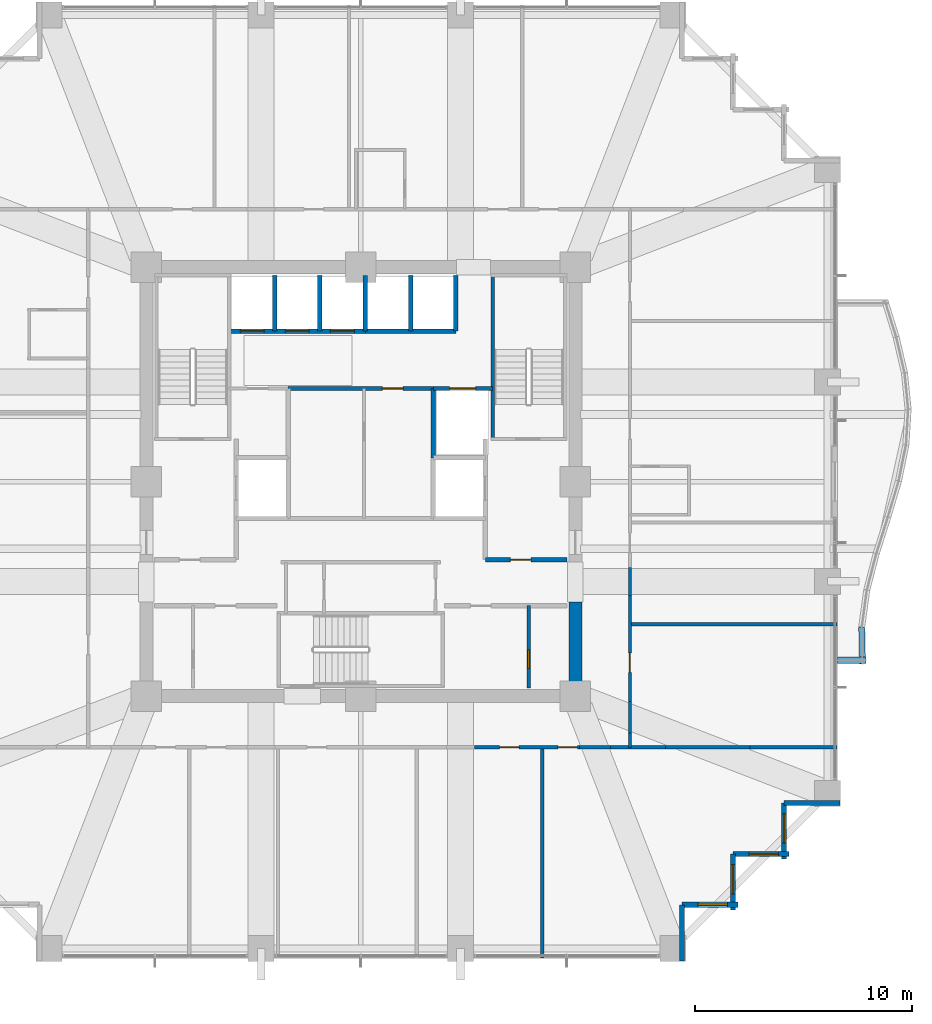
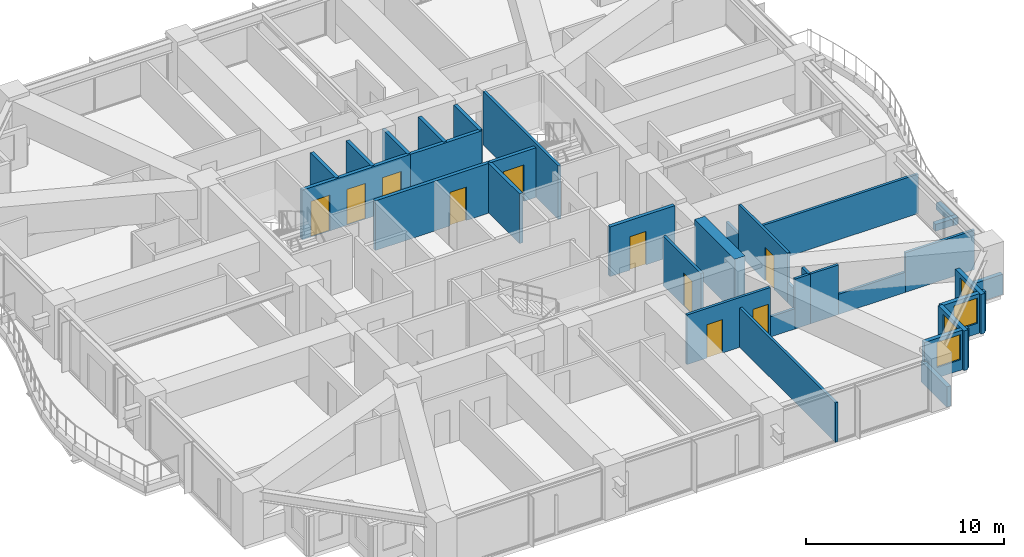
# One storey, part 35 of 39: 34 walls, 10 doors, 4 windows, 14 openings.
"""IFC4 building model written with IfcOpenShell, lengths in metres."""

from ifc_helpers import new_model, si_unit, direction, frame, frame_2d, origin, place, context, subcontext, project, spatial, rectangle, extrude, material, layer, layer_set, type_object, element, fill, save


model = new_model("IFC4")

# Units and contexts
model_context = context("Model", 3, precision=1e-05, world=origin(), true_north=direction((0.0, 1.0)))
body_context = subcontext(model_context, "Body", "Model", "MODEL_VIEW")
ifc_project = project(units=[si_unit("LENGTHUNIT", "METRE"), si_unit("AREAUNIT", "SQUARE_METRE"), si_unit("VOLUMEUNIT", "CUBIC_METRE"), si_unit("PLANEANGLEUNIT", "RADIAN"), si_unit("MASSUNIT", "GRAM", prefix="KILO")], contexts=[model_context])

# Site, building, storey
site_placement = place(None, origin())
site = spatial("IfcSite", under=ifc_project, at=site_placement, CompositionType="ELEMENT")
building_placement = place(site_placement, origin())
building = spatial("IfcBuilding", under=site, at=building_placement, Name="Kolvaren Belvedere", CompositionType="ELEMENT")
storey_placement = place(building_placement, frame((0.0, 0.0, 40.300048828125)))
storey = spatial("IfcBuildingStorey", under=building, at=storey_placement, Name="L11", CompositionType="ELEMENT", Elevation=40.300048828125)

# Walls
ifc_material_1 = material(Name="Concrete C60/75", Category="concrete")
ifc_layer_1 = layer(ifc_material_1, 0.60009765625)
ifc_layer_set_1 = layer_set([ifc_layer_1], Name="Concrete C60/75")
wall_type_1 = type_object("IfcWallType", Name="CW-CORE-600", PredefinedType="SHEAR", material=ifc_layer_set_1)
wall_1_placement = place(storey_placement, frame((9.89990234375, -9.60009765625, 0.0), z_axis=(0.0, 0.0, 1.0), x_axis=(0.0, 1.0, 0.0)))
element("IfcWall", 1, at=wall_1_placement, inside=storey, type_object=wall_type_1, Name="L11 East Core Shear Wall 1", PredefinedType="SHEAR", context=body_context, shape_type="SweptSolid", body=[
    extrude(rectangle(XDim=4.050048828125, YDim=0.60009765625, at=frame_2d((2.02490234375, 0.0))), origin(), (0.0, 0.0, 1.0), 3.300048828125),
])
ifc_material_2 = material(Name="Concrete C50/60", Category="concrete")
ifc_layer_2 = layer(ifc_material_2, 0.159912109375)
ifc_layer_set_2 = layer_set([ifc_layer_2], Name="Concrete C50/60")
wall_type_2 = type_object("IfcWallType", Name="CW-STAIR-160", PredefinedType="SHEAR", material=ifc_layer_set_2)
wall_2_placement = place(storey_placement, frame((6.080078125, 1.969970703125, 0.0), z_axis=(0.0, 0.0, 1.0), x_axis=(0.0, 1.0, 0.0)))
element("IfcWall", 2, at=wall_2_placement, inside=storey, type_object=wall_type_2, Name="L11 Stair ST-2 West Shear Wall", PredefinedType="SHEAR", context=body_context, shape_type="SweptSolid", body=[
    extrude(rectangle(XDim=7.56005859375, YDim=0.159912109375, at=frame_2d((3.780029296875, 0.0))), origin(), (0.0, 0.0, 1.0), 3.300048828125),
])

# Wall, openings, doors
ifc_material_3 = material(Name="Gypsum fire-rated partition assembly", Category="gypsum")
ifc_layer_3 = layer(ifc_material_3, 0.14990234375)
ifc_layer_set_3 = layer_set([ifc_layer_3], Name="Gypsum fire-rated partition assembly")
wall_type_3 = type_object("IfcWallType", Name="WL-CORR-150", PredefinedType="PARTITIONING", material=ifc_layer_set_3)
wall_3_placement = place(storey_placement, frame((5.241943359375, -12.260009765625, 0.0), z_axis=(0.0, 0.0, 1.0), x_axis=(1.0, 0.0, 0.0)))
wall_3 = element("IfcWall", 3, at=wall_3_placement, inside=storey, type_object=wall_type_3, Name="L11 South Corridor Wall", PredefinedType="PARTITIONING", context=body_context, shape_type="SweptSolid", body=[
    extrude(rectangle(XDim=4.849853515625, YDim=0.14990234375, at=frame_2d((2.4248046875, 0.0))), origin(), (0.0, 0.0, 1.0), 3.06005859375),
])
opening_1_placement = place(wall_3_placement, frame((1.164794921875, 0.0, 0.0)))
opening_1 = element("IfcOpeningElement", 4, at=opening_1_placement, cuts=wall_3, Name="Opening D-INT90", PredefinedType="OPENING", context=body_context, shape_type="SweptSolid", body=[
    extrude(rectangle(XDim=0.89990234375, YDim=2.06005859375, at=frame_2d((0.449951171875, 1.030029296875))), frame((0.0, 0.0849609375, 0.0), z_axis=(0.0, -1.0, 0.0), x_axis=(1.0, 0.0, 0.0)), (0.0, 0.0, 1.0), 0.169921875),
])
opening_2_placement = place(wall_3_placement, frame((3.849853515625, 0.0, 0.0)))
opening_2 = element("IfcOpeningElement", 5, at=opening_2_placement, cuts=wall_3, Name="Opening D-INT90", PredefinedType="OPENING", context=body_context, shape_type="SweptSolid", body=[
    extrude(rectangle(XDim=0.89990234375, YDim=2.06005859375, at=frame_2d((0.449951171875, 1.030029296875))), frame((0.0, 0.0849609375, 0.0), z_axis=(0.0, -1.0, 0.0), x_axis=(1.0, 0.0, 0.0)), (0.0, 0.0, 1.0), 0.169921875),
])
ifc_material_4 = material(Name="Stained Pacific white oak", Category="timber")
door_type_1 = type_object("IfcDoorType", Name="DR-INT-900", OperationType="NOTDEFINED", PredefinedType="DOOR", material=ifc_material_4)
door_1_placement = place(opening_1_placement, origin())
door_1 = element("IfcDoor", 6, at=door_1_placement, inside=storey, type_object=door_type_1, Name="L11 Private Hospitality Meeting Room 1104 Door", OperationType="SINGLE_SWING_RIGHT", OverallHeight=2.06005859375, OverallWidth=0.89990234375, PredefinedType="DOOR", context=body_context, shape_type="SweptSolid", body=[
    extrude(rectangle(XDim=0.89990234375, YDim=2.06005859375, at=frame_2d((0.449951171875, 1.030029296875))), frame((0.0, 0.02490234375, 0.0), z_axis=(0.0, -1.0, 0.0), x_axis=(1.0, 0.0, 0.0)), (0.0, 0.0, 1.0), 0.050048828125),
])
fill(opening_1, door_1)
door_2_placement = place(opening_2_placement, origin())
door_2 = element("IfcDoor", 7, at=door_2_placement, inside=storey, type_object=door_type_1, Name="L11 Lounge 1105 Door", OperationType="SINGLE_SWING_LEFT", OverallHeight=2.06005859375, OverallWidth=0.89990234375, PredefinedType="DOOR", context=body_context, shape_type="SweptSolid", body=[
    extrude(rectangle(XDim=0.89990234375, YDim=2.06005859375, at=frame_2d((0.449951171875, 1.030029296875))), frame((0.0, 0.02490234375, 0.0), z_axis=(0.0, -1.0, 0.0), x_axis=(1.0, 0.0, 0.0)), (0.0, 0.0, 1.0), 0.050048828125),
])
fill(opening_2, door_2)

# Walls
wall_4_placement = place(storey_placement, frame((10.091796875, -12.260009765625, 0.0), z_axis=(0.0, 0.0, 1.0), x_axis=(1.0, 0.0, 0.0)))
element("IfcWall", 8, at=wall_4_placement, inside=storey, type_object=wall_type_3, Name="L11 South Corridor Wall", PredefinedType="PARTITIONING", context=body_context, shape_type="SweptSolid", body=[
    extrude(rectangle(XDim=1.439453125, YDim=0.14990234375, at=frame_2d((0.7197265625, 0.0))), origin(), (0.0, 0.0, 1.0), 1.244873046875),
])
wall_5_placement = place(storey_placement, frame((11.53125, -12.260009765625, 0.0), z_axis=(0.0, 0.0, 1.0), x_axis=(1.0, 0.0, 0.0)))
element("IfcWall", 9, at=wall_5_placement, inside=storey, type_object=wall_type_3, Name="L11 South Corridor Wall", PredefinedType="PARTITIONING", context=body_context, shape_type="SweptSolid", body=[
    extrude(rectangle(XDim=0.888671875, YDim=0.14990234375, at=frame_2d((0.4443359375, 0.0))), origin(), (0.0, 0.0, 1.0), 3.06005859375),
])
wall_6_placement = place(storey_placement, frame((12.419921875, -12.260009765625, 0.0), z_axis=(0.0, 0.0, 1.0), x_axis=(0.0, 1.0, 0.0)))
element("IfcWall", 10, at=wall_6_placement, inside=storey, type_object=wall_type_3, Name="L11 East Corridor Wall", PredefinedType="PARTITIONING", context=body_context, shape_type="SweptSolid", body=[
    extrude(rectangle(XDim=0.6669921875, YDim=0.14990234375, at=frame_2d((0.33349609375, 0.0))), origin(), (0.0, 0.0, 1.0), 3.06005859375),
])
wall_7_placement = place(storey_placement, frame((12.419921875, -11.593017578125, 0.0), z_axis=(0.0, 0.0, 1.0), x_axis=(0.0, 1.0, 0.0)))
element("IfcWall", 11, at=wall_7_placement, inside=storey, type_object=wall_type_3, Name="L11 East Corridor Wall", PredefinedType="PARTITIONING", context=body_context, shape_type="SweptSolid", body=[
    extrude(rectangle(XDim=1.439208984375, YDim=0.14990234375, at=frame_2d((0.7197265625, 0.0))), origin(), (0.0, 0.0, 1.0), 1.244873046875),
])

# Wall, opening, door
wall_8_placement = place(storey_placement, frame((12.419921875, -10.15380859375, 0.0), z_axis=(0.0, 0.0, 1.0), x_axis=(0.0, 1.0, 0.0)))
wall_8 = element("IfcWall", 12, at=wall_8_placement, inside=storey, type_object=wall_type_3, Name="L11 East Corridor Wall", PredefinedType="PARTITIONING", context=body_context, shape_type="SweptSolid", body=[
    extrude(rectangle(XDim=4.911865234375, YDim=0.14990234375, at=frame_2d((2.4560546875, 0.0))), origin(), (0.0, 0.0, 1.0), 3.06005859375),
])
opening_3_placement = place(wall_8_placement, frame((1.355712890625, 0.0, 0.0)))
opening_3 = element("IfcOpeningElement", 13, at=opening_3_placement, cuts=wall_8, Name="Opening D-INT90", PredefinedType="OPENING", context=body_context, shape_type="SweptSolid", body=[
    extrude(rectangle(XDim=0.89990234375, YDim=2.06005859375, at=frame_2d((0.449951171875, 1.030029296875))), frame((0.0, 0.0849609375, 0.0), z_axis=(0.0, -1.0, 0.0), x_axis=(1.0, 0.0, 0.0)), (0.0, 0.0, 1.0), 0.169921875),
])
door_3_placement = place(opening_3_placement, origin())
door_3 = element("IfcDoor", 14, at=door_3_placement, inside=storey, type_object=door_type_1, Name="L11 Lounge 1106 Door", OperationType="SINGLE_SWING_RIGHT", OverallHeight=2.06005859375, OverallWidth=0.89990234375, PredefinedType="DOOR", context=body_context, shape_type="SweptSolid", body=[
    extrude(rectangle(XDim=0.89990234375, YDim=2.06005859375, at=frame_2d((0.449951171875, 1.030029296875))), frame((0.0, 0.02490234375, 0.0), z_axis=(0.0, -1.0, 0.0), x_axis=(1.0, 0.0, 0.0)), (0.0, 0.0, 1.0), 0.050048828125),
])
fill(opening_3, door_3)

# Walls
wall_9_placement = place(storey_placement, frame((12.419921875, -5.241943359375, 0.0), z_axis=(0.0, 0.0, 1.0), x_axis=(0.0, 1.0, 0.0)))
element("IfcWall", 15, at=wall_9_placement, inside=storey, type_object=wall_type_3, Name="L11 East Corridor Wall", PredefinedType="PARTITIONING", context=body_context, shape_type="SweptSolid", body=[
    extrude(rectangle(XDim=1.283935546875, YDim=0.14990234375, at=frame_2d((0.64208984375, 0.0))), origin(), (0.0, 0.0, 1.0), 1.244873046875),
])
ifc_material_5 = material(Name="Insulated pale-metal facade wall assembly", Category="aluminium")
ifc_layer_4 = layer(ifc_material_5, 0.239990234375)
ifc_layer_set_4 = layer_set([ifc_layer_4], Name="Insulated pale-metal facade wall assembly")
wall_type_4 = type_object("IfcWallType", Name="WL-EXT-240", PredefinedType="STANDARD", material=ifc_layer_set_4)
wall_10_placement = place(storey_placement, frame((14.830078125, -19.530029296875, 0.0), z_axis=(0.0, 0.0, 1.0), x_axis=(0.0, -1.0, 0.0)))
element("IfcWall", 16, at=wall_10_placement, inside=storey, type_object=wall_type_4, Name="L11 Serrated Corner Facade Wall 2", PredefinedType="STANDARD", context=body_context, shape_type="SweptSolid", body=[
    extrude(rectangle(XDim=2.590087890625, YDim=0.239990234375, at=frame_2d((1.294921875, 0.0))), origin(), (0.0, 0.0, 1.0), 1.2548828125),
])

# Wall, opening, window
wall_11_placement = place(storey_placement, frame((17.419921875, -19.530029296875, 0.0), z_axis=(0.0, 0.0, 1.0), x_axis=(-1.0, 0.0, 0.0)))
wall_11 = element("IfcWall", 17, at=wall_11_placement, inside=storey, type_object=wall_type_4, Name="L11 Serrated Corner Facade Wall 3", PredefinedType="STANDARD", context=body_context, shape_type="SweptSolid", body=[
    extrude(rectangle(XDim=2.58984375, YDim=0.239990234375, at=frame_2d((1.294921875, 0.0))), origin(), (0.0, 0.0, 1.0), 2.43896484375),
])
opening_4_placement = place(wall_11_placement, frame((0.5, 0.0, 0.64990234375)))
opening_4 = element("IfcOpeningElement", 18, at=opening_4_placement, cuts=wall_11, Name="Opening W-1350", PredefinedType="OPENING", context=body_context, shape_type="SweptSolid", body=[
    extrude(rectangle(XDim=1.35009765625, YDim=1.550048828125, at=frame_2d((0.675048828125, 0.77490234375))), frame((0.0, 0.1298828125, 0.0), z_axis=(0.0, -1.0, 0.0), x_axis=(1.0, 0.0, 0.0)), (0.0, 0.0, 1.0), 0.260009765625),
])
ifc_material_6 = material(Name="Low-iron triple insulated glass", Category="glass")
window_type = type_object("IfcWindowType", Name="WN-CORN-1350", PartitioningType="SINGLE_PANEL", PredefinedType="WINDOW", material=ifc_material_6)
window_1_placement = place(opening_4_placement, origin())
window_1 = element("IfcWindow", 19, at=window_1_placement, inside=storey, type_object=window_type, Name="L11 Serrated Corner Vision Window 3", OverallHeight=1.550048828125, OverallWidth=1.35009765625, PartitioningType="SINGLE_PANEL", PredefinedType="WINDOW", context=body_context, shape_type="SweptSolid", body=[
    extrude(rectangle(XDim=1.35009765625, YDim=1.550048828125, at=frame_2d((0.675048828125, 0.77490234375))), frame((0.0, 0.030029296875, 0.0), z_axis=(0.0, -1.0, 0.0), x_axis=(1.0, 0.0, 0.0)), (0.0, 0.0, 1.0), 0.06005859375),
])
fill(opening_4, window_1)

wall_12_placement = place(storey_placement, frame((17.179931640625, -17.179931640625, 0.0), z_axis=(0.0, 0.0, 1.0), x_axis=(0.0, -1.0, 0.0)))
wall_12 = element("IfcWall", 20, at=wall_12_placement, inside=storey, type_object=wall_type_4, Name="L11 Serrated Corner Facade Wall 4", PredefinedType="STANDARD", context=body_context, shape_type="SweptSolid", body=[
    extrude(rectangle(XDim=2.590087890625, YDim=0.239990234375, at=frame_2d((1.294921875, 0.0))), origin(), (0.0, 0.0, 1.0), 2.43896484375),
])
opening_5_placement = place(wall_12_placement, frame((0.5, 0.0, 0.64990234375)))
opening_5 = element("IfcOpeningElement", 21, at=opening_5_placement, cuts=wall_12, Name="Opening W-1350", PredefinedType="OPENING", context=body_context, shape_type="SweptSolid", body=[
    extrude(rectangle(XDim=1.35009765625, YDim=1.550048828125, at=frame_2d((0.675048828125, 0.77490234375))), frame((0.0, 0.1298828125, 0.0), z_axis=(0.0, -1.0, 0.0), x_axis=(1.0, 0.0, 0.0)), (0.0, 0.0, 1.0), 0.260009765625),
])
window_2_placement = place(opening_5_placement, origin())
window_2 = element("IfcWindow", 22, at=window_2_placement, inside=storey, type_object=window_type, Name="L11 Serrated Corner Vision Window 4", OverallHeight=1.550048828125, OverallWidth=1.35009765625, PartitioningType="SINGLE_PANEL", PredefinedType="WINDOW", context=body_context, shape_type="SweptSolid", body=[
    extrude(rectangle(XDim=1.35009765625, YDim=1.550048828125, at=frame_2d((0.675048828125, 0.77490234375))), frame((0.0, 0.030029296875, 0.0), z_axis=(0.0, -1.0, 0.0), x_axis=(1.0, 0.0, 0.0)), (0.0, 0.0, 1.0), 0.06005859375),
])
fill(opening_5, window_2)

wall_13_placement = place(storey_placement, frame((19.77001953125, -17.179931640625, 0.0), z_axis=(0.0, 0.0, 1.0), x_axis=(-1.0, 0.0, 0.0)))
wall_13 = element("IfcWall", 23, at=wall_13_placement, inside=storey, type_object=wall_type_4, Name="L11 Serrated Corner Facade Wall 5", PredefinedType="STANDARD", context=body_context, shape_type="SweptSolid", body=[
    extrude(rectangle(XDim=2.590087890625, YDim=0.239990234375, at=frame_2d((1.294921875, 0.0))), origin(), (0.0, 0.0, 1.0), 2.43896484375),
])
opening_6_placement = place(wall_13_placement, frame((0.5, 0.0, 0.64990234375)))
opening_6 = element("IfcOpeningElement", 24, at=opening_6_placement, cuts=wall_13, Name="Opening W-1350", PredefinedType="OPENING", context=body_context, shape_type="SweptSolid", body=[
    extrude(rectangle(XDim=1.35009765625, YDim=1.550048828125, at=frame_2d((0.675048828125, 0.77490234375))), frame((0.0, 0.1298828125, 0.0), z_axis=(0.0, -1.0, 0.0), x_axis=(1.0, 0.0, 0.0)), (0.0, 0.0, 1.0), 0.260009765625),
])
window_3_placement = place(opening_6_placement, origin())
window_3 = element("IfcWindow", 25, at=window_3_placement, inside=storey, type_object=window_type, Name="L11 Serrated Corner Vision Window 5", OverallHeight=1.550048828125, OverallWidth=1.35009765625, PartitioningType="SINGLE_PANEL", PredefinedType="WINDOW", context=body_context, shape_type="SweptSolid", body=[
    extrude(rectangle(XDim=1.35009765625, YDim=1.550048828125, at=frame_2d((0.675048828125, 0.77490234375))), frame((0.0, 0.030029296875, 0.0), z_axis=(0.0, -1.0, 0.0), x_axis=(1.0, 0.0, 0.0)), (0.0, 0.0, 1.0), 0.06005859375),
])
fill(opening_6, window_3)

wall_14_placement = place(storey_placement, frame((19.530029296875, -14.830078125, 0.0), z_axis=(0.0, 0.0, 1.0), x_axis=(0.0, -1.0, 0.0)))
wall_14 = element("IfcWall", 26, at=wall_14_placement, inside=storey, type_object=wall_type_4, Name="L11 Serrated Corner Facade Wall 6", PredefinedType="STANDARD", context=body_context, shape_type="SweptSolid", body=[
    extrude(rectangle(XDim=2.58984375, YDim=0.239990234375, at=frame_2d((1.294921875, 0.0))), origin(), (0.0, 0.0, 1.0), 2.43896484375),
])
opening_7_placement = place(wall_14_placement, frame((0.5, 0.0, 0.64990234375)))
opening_7 = element("IfcOpeningElement", 27, at=opening_7_placement, cuts=wall_14, Name="Opening W-1350", PredefinedType="OPENING", context=body_context, shape_type="SweptSolid", body=[
    extrude(rectangle(XDim=1.35009765625, YDim=1.550048828125, at=frame_2d((0.675048828125, 0.77490234375))), frame((0.0, 0.1298828125, 0.0), z_axis=(0.0, -1.0, 0.0), x_axis=(1.0, 0.0, 0.0)), (0.0, 0.0, 1.0), 0.260009765625),
])
window_4_placement = place(opening_7_placement, origin())
window_4 = element("IfcWindow", 28, at=window_4_placement, inside=storey, type_object=window_type, Name="L11 Serrated Corner Vision Window 6", OverallHeight=1.550048828125, OverallWidth=1.35009765625, PartitioningType="SINGLE_PANEL", PredefinedType="WINDOW", context=body_context, shape_type="SweptSolid", body=[
    extrude(rectangle(XDim=1.35009765625, YDim=1.550048828125, at=frame_2d((0.675048828125, 0.77490234375))), frame((0.0, 0.030029296875, 0.0), z_axis=(0.0, -1.0, 0.0), x_axis=(1.0, 0.0, 0.0)), (0.0, 0.0, 1.0), 0.06005859375),
])
fill(opening_7, window_4)

# Wall
wall_15_placement = place(storey_placement, frame((22.1201171875, -14.830078125, 0.0), z_axis=(0.0, 0.0, 1.0), x_axis=(-1.0, 0.0, 0.0)))
element("IfcWall", 29, at=wall_15_placement, inside=storey, type_object=wall_type_4, Name="L11 Serrated Corner Facade Wall 7", PredefinedType="STANDARD", context=body_context, shape_type="SweptSolid", body=[
    extrude(rectangle(XDim=2.590087890625, YDim=0.239990234375, at=frame_2d((1.294921875, 0.0))), origin(), (0.0, 0.0, 1.0), 1.2548828125),
])

# Wall, opening, door
ifc_material_7 = material(Name="Gypsum acoustic partition assembly", Category="gypsum")
ifc_layer_5 = layer(ifc_material_7, 0.14990234375)
ifc_layer_set_5 = layer_set([ifc_layer_5], Name="Gypsum acoustic partition assembly")
wall_type_5 = type_object("IfcWallType", Name="WL-PART-150", PredefinedType="PARTITIONING", material=ifc_layer_set_5)
wall_16_placement = place(storey_placement, frame((7.75, -9.52001953125, 0.0), z_axis=(0.0, 0.0, 1.0), x_axis=(0.0, 1.0, 0.0)))
wall_16 = element("IfcWall", 30, at=wall_16_placement, inside=storey, type_object=wall_type_5, Name="L11 SE Core Asymmetric Divider", PredefinedType="PARTITIONING", context=body_context, shape_type="SweptSolid", body=[
    extrude(rectangle(XDim=3.800048828125, YDim=0.14990234375, at=frame_2d((1.89990234375, 0.0))), origin(), (0.0, 0.0, 1.0), 3.06005859375),
])
opening_8_placement = place(wall_16_placement, frame((0.89990234375, 0.0, 0.0)))
opening_8 = element("IfcOpeningElement", 31, at=opening_8_placement, cuts=wall_16, Name="Opening D-INT85", PredefinedType="OPENING", context=body_context, shape_type="SweptSolid", body=[
    extrude(rectangle(XDim=0.85009765625, YDim=2.030029296875, at=frame_2d((0.425048828125, 1.01513671875))), frame((0.0, 0.0849609375, 0.0), z_axis=(0.0, -1.0, 0.0), x_axis=(1.0, 0.0, 0.0)), (0.0, 0.0, 1.0), 0.169921875),
])
ifc_material_8 = material(Name="Stained Pacific white oak", Category="timber")
door_type_2 = type_object("IfcDoorType", Name="DR-INT-850", OperationType="NOTDEFINED", PredefinedType="DOOR", material=ifc_material_8)
door_4_placement = place(opening_8_placement, origin())
door_4 = element("IfcDoor", 32, at=door_4_placement, inside=storey, type_object=door_type_2, Name="L11 SE Janitor Door", OperationType="SINGLE_SWING_LEFT", OverallHeight=2.030029296875, OverallWidth=0.85009765625, PredefinedType="DOOR", context=body_context, shape_type="SweptSolid", body=[
    extrude(rectangle(XDim=0.85009765625, YDim=2.030029296875, at=frame_2d((0.425048828125, 1.01513671875))), frame((0.0, 0.02490234375, 0.0), z_axis=(0.0, -1.0, 0.0), x_axis=(1.0, 0.0, 0.0)), (0.0, 0.0, 1.0), 0.050048828125),
])
fill(opening_8, door_4)

# Walls
wall_17_placement = place(storey_placement, frame((12.419921875, -12.260009765625, 0.0), z_axis=(0.0, 0.0, 1.0), x_axis=(1.0, 0.0, 0.0)))
element("IfcWall", 33, at=wall_17_placement, inside=storey, type_object=wall_type_5, Name="L11 Wing Divider PW-L11-QSE", PredefinedType="PARTITIONING", context=body_context, shape_type="SweptSolid", body=[
    extrude(rectangle(XDim=1.63623046875, YDim=0.14990234375, at=frame_2d((0.818115234375, 0.0))), origin(), (0.0, 0.0, 1.0), 3.06005859375),
])
wall_18_placement = place(storey_placement, frame((14.05615234375, -12.260009765625, 0.0), z_axis=(0.0, 0.0, 1.0), x_axis=(1.0, 0.0, 0.0)))
element("IfcWall", 34, at=wall_18_placement, inside=storey, type_object=wall_type_5, Name="L11 Wing Divider PW-L11-QSE", PredefinedType="PARTITIONING", context=body_context, shape_type="SweptSolid", body=[
    extrude(rectangle(XDim=3.9072265625, YDim=0.14990234375, at=frame_2d((1.95361328125, 0.0))), origin(), (0.0, 0.0, 1.0), 1.244873046875),
])
wall_19_placement = place(storey_placement, frame((17.96337890625, -12.260009765625, 0.0), z_axis=(0.0, 0.0, 1.0), x_axis=(1.0, 0.0, 0.0)))
element("IfcWall", 35, at=wall_19_placement, inside=storey, type_object=wall_type_5, Name="L11 Wing Divider PW-L11-QSE", PredefinedType="PARTITIONING", context=body_context, shape_type="SweptSolid", body=[
    extrude(rectangle(XDim=4.0166015625, YDim=0.14990234375, at=frame_2d((2.00830078125, 0.0))), origin(), (0.0, 0.0, 1.0), 2.428955078125),
])
wall_20_placement = place(storey_placement, frame((8.3798828125, -21.97998046875, 0.0), z_axis=(0.0, 0.0, 1.0), x_axis=(0.0, 1.0, 0.0)))
element("IfcWall", 36, at=wall_20_placement, inside=storey, type_object=wall_type_5, Name="L11 South Suite Demising Wall 4", PredefinedType="PARTITIONING", context=body_context, shape_type="SweptSolid", body=[
    extrude(rectangle(XDim=9.719970703125, YDim=0.14990234375, at=frame_2d((4.85986328125, 0.0))), origin(), (0.0, 0.0, 1.0), 2.428955078125),
])
wall_21_placement = place(storey_placement, frame((12.419921875, -6.580078125, 0.0), z_axis=(0.0, 0.0, 1.0), x_axis=(1.0, 0.0, 0.0)))
element("IfcWall", 37, at=wall_21_placement, inside=storey, type_object=wall_type_5, Name="L11 East Suite Demising Wall 1", PredefinedType="PARTITIONING", context=body_context, shape_type="SweptSolid", body=[
    extrude(rectangle(XDim=9.56005859375, YDim=0.14990234375, at=frame_2d((4.780029296875, 0.0))), origin(), (0.0, 0.0, 1.0), 2.428955078125),
])
ifc_material_9 = material(Name="Precast concrete C40/50", Category="concrete")
ifc_layer_6 = layer(ifc_material_9, 0.300048828125)
ifc_layer_set_6 = layer_set([ifc_layer_6], Name="Precast concrete C40/50")
wall_type_6 = type_object("IfcWallType", Name="WL-PLANTER-300", PredefinedType="PARAPET", material=ifc_layer_set_6)
wall_22_placement = place(storey_placement, frame((23.15283203125, -8.4033203125, -0.06005859375), z_axis=(0.0, 0.0, 1.0), x_axis=(-0.020048280122, 0.999799013034, 0.0)))
element("IfcWall", 38, at=wall_22_placement, inside=storey, type_object=wall_type_6, Name="L11 Precast Structural Planter Wall BAL-E-1", PredefinedType="PARAPET", context=body_context, shape_type="SweptSolid", body=[
    extrude(rectangle(XDim=1.680419921875, YDim=0.280029296875, at=frame_2d((0.84033203125, 0.0))), origin(), (0.0, 0.0, 1.0), 0.419921875),
])
wall_23_placement = place(storey_placement, frame((22.0, -8.239990234375, -0.06005859375), z_axis=(0.0, 0.0, 1.0), x_axis=(1.0, 0.0, 0.0)))
element("IfcWall", 39, at=wall_23_placement, inside=storey, type_object=wall_type_6, Name="L11 Precast Structural Planter Wall BAL-E-22", PredefinedType="PARAPET", context=body_context, shape_type="SweptSolid", body=[
    extrude(rectangle(XDim=1.31298828125, YDim=0.280029296875, at=frame_2d((0.656494140625, 0.0))), origin(), (0.0, 0.0, 1.0), 0.419921875),
])

# Wall, opening, door
ifc_material_10 = material(Name="Concrete C50/60", Category="concrete")
ifc_layer_7 = layer(ifc_material_10, 0.199951171875)
ifc_layer_set_7 = layer_set([ifc_layer_7], Name="Concrete C50/60")
wall_type_7 = type_object("IfcWallType", Name="WL-SHAFT-200", PredefinedType="SOLIDWALL", material=ifc_layer_set_7)
wall_24_placement = place(storey_placement, frame((5.75, -3.60009765625, 0.0), z_axis=(0.0, 0.0, 1.0), x_axis=(1.0, 0.0, 0.0)))
wall_24 = element("IfcWall", 40, at=wall_24_placement, inside=storey, type_object=wall_type_7, Name="L11 East FSAE Lobby South Wall", PredefinedType="SOLIDWALL", context=body_context, shape_type="SweptSolid", body=[
    extrude(rectangle(XDim=3.77001953125, YDim=0.199951171875, at=frame_2d((1.885009765625, 0.0))), origin(), (0.0, 0.0, 1.0), 3.06005859375),
])
opening_9_placement = place(wall_24_placement, frame((1.14990234375, 0.0, 0.0)))
opening_9 = element("IfcOpeningElement", 41, at=opening_9_placement, cuts=wall_24, Name="Opening D-FD60", PredefinedType="OPENING", context=body_context, shape_type="SweptSolid", body=[
    extrude(rectangle(XDim=0.949951171875, YDim=2.06005859375, at=frame_2d((0.47509765625, 1.030029296875))), frame((0.0, 0.10986328125, 0.0), z_axis=(0.0, -1.0, 0.0), x_axis=(1.0, 0.0, 0.0)), (0.0, 0.0, 1.0), 0.219970703125),
])
ifc_material_11 = material(Name="Acoustic white-oak fire door leaf", Category="timber")
door_type_3 = type_object("IfcDoorType", Name="DR-FD60-950", OperationType="NOTDEFINED", PredefinedType="DOOR", material=ifc_material_11)
door_5_placement = place(opening_9_placement, origin())
door_5 = element("IfcDoor", 42, at=door_5_placement, inside=storey, type_object=door_type_3, Name="L11 SE Lift Lobby Fire Door", OperationType="SINGLE_SWING_RIGHT", OverallHeight=2.06005859375, OverallWidth=0.949951171875, PredefinedType="DOOR", context=body_context, shape_type="SweptSolid", body=[
    extrude(rectangle(XDim=0.949951171875, YDim=2.06005859375, at=frame_2d((0.47509765625, 1.030029296875))), frame((0.0, 0.02490234375, 0.0), z_axis=(0.0, -1.0, 0.0), x_axis=(1.0, 0.0, 0.0)), (0.0, 0.0, 1.0), 0.050048828125),
])
fill(opening_9, door_5)

wall_25_placement = place(storey_placement, frame((3.35009765625, 4.300048828125, 0.0), z_axis=(0.0, 0.0, 1.0), x_axis=(1.0, 0.0, 0.0)))
wall_25 = element("IfcWall", 43, at=wall_25_placement, inside=storey, type_object=wall_type_7, Name="L11 Service Lift SV1 Front Wall", PredefinedType="SOLIDWALL", context=body_context, shape_type="SweptSolid", body=[
    extrude(rectangle(XDim=2.72998046875, YDim=0.199951171875, at=frame_2d((1.364990234375, 0.0))), origin(), (0.0, 0.0, 1.0), 3.06005859375),
])
opening_10_placement = place(wall_25_placement, frame((0.75, 0.0, 0.0)))
opening_10 = element("IfcOpeningElement", 44, at=opening_10_placement, cuts=wall_25, Name="Opening LD-12", PredefinedType="OPENING", context=body_context, shape_type="SweptSolid", body=[
    extrude(rectangle(XDim=1.199951171875, YDim=2.25, at=frame_2d((0.60009765625, 1.125))), frame((0.0, 0.10986328125, 0.0), z_axis=(0.0, -1.0, 0.0), x_axis=(1.0, 0.0, 0.0)), (0.0, 0.0, 1.0), 0.219970703125),
])
ifc_material_12 = material(Name="Brushed stainless steel", Category="steel")
door_type_4 = type_object("IfcDoorType", Name="DR-LIFT-1200", OperationType="DOUBLE_DOOR_SLIDING", PredefinedType="DOOR", material=ifc_material_12)
door_6_placement = place(opening_10_placement, origin())
door_6 = element("IfcDoor", 45, at=door_6_placement, inside=storey, type_object=door_type_4, Name="L11 Service Lift SV1 Landing Door", OperationType="DOUBLE_DOOR_SLIDING", OverallHeight=2.25, OverallWidth=1.199951171875, PredefinedType="DOOR", context=body_context, shape_type="SweptSolid", body=[
    extrude(rectangle(XDim=1.199951171875, YDim=2.25, at=frame_2d((0.60009765625, 1.125))), frame((0.0, 0.02490234375, 0.0), z_axis=(0.0, -1.0, 0.0), x_axis=(1.0, 0.0, 0.0)), (0.0, 0.0, 1.0), 0.050048828125),
])
fill(opening_10, door_6)

# Wall, openings, doors
wall_26_placement = place(storey_placement, frame((-6.080078125, 6.949951171875, 0.0), z_axis=(0.0, 0.0, 1.0), x_axis=(1.0, 0.0, 0.0)))
wall_26 = element("IfcWall", 46, at=wall_26_placement, inside=storey, type_object=wall_type_7, Name="L11 Low-Rise Lift Bank Front Wall", PredefinedType="SOLIDWALL", context=body_context, shape_type="SweptSolid", body=[
    extrude(rectangle(XDim=6.300048828125, YDim=0.199951171875, at=frame_2d((3.14990234375, 0.0))), origin(), (0.0, 0.0, 1.0), 3.06005859375),
])
opening_11_placement = place(wall_26_placement, frame((0.52001953125, 0.0, 0.0)))
opening_11 = element("IfcOpeningElement", 47, at=opening_11_placement, cuts=wall_26, Name="Opening LD-11", PredefinedType="OPENING", context=body_context, shape_type="SweptSolid", body=[
    extrude(rectangle(XDim=1.10009765625, YDim=2.199951171875, at=frame_2d((0.550048828125, 1.10009765625))), frame((0.0, 0.10986328125, 0.0), z_axis=(0.0, -1.0, 0.0), x_axis=(1.0, 0.0, 0.0)), (0.0, 0.0, 1.0), 0.219970703125),
])
opening_12_placement = place(wall_26_placement, frame((2.60009765625, 0.0, 0.0)))
opening_12 = element("IfcOpeningElement", 48, at=opening_12_placement, cuts=wall_26, Name="Opening LD-11", PredefinedType="OPENING", context=body_context, shape_type="SweptSolid", body=[
    extrude(rectangle(XDim=1.10009765625, YDim=2.199951171875, at=frame_2d((0.550048828125, 1.10009765625))), frame((0.0, 0.10986328125, 0.0), z_axis=(0.0, -1.0, 0.0), x_axis=(1.0, 0.0, 0.0)), (0.0, 0.0, 1.0), 0.219970703125),
])
opening_13_placement = place(wall_26_placement, frame((4.679931640625, 0.0, 0.0)))
opening_13 = element("IfcOpeningElement", 49, at=opening_13_placement, cuts=wall_26, Name="Opening LD-11", PredefinedType="OPENING", context=body_context, shape_type="SweptSolid", body=[
    extrude(rectangle(XDim=1.10009765625, YDim=2.199951171875, at=frame_2d((0.550048828125, 1.10009765625))), frame((0.0, 0.10986328125, 0.0), z_axis=(0.0, -1.0, 0.0), x_axis=(1.0, 0.0, 0.0)), (0.0, 0.0, 1.0), 0.219970703125),
])
ifc_material_13 = material(Name="Brushed stainless steel", Category="steel")
door_type_5 = type_object("IfcDoorType", Name="DR-LIFT-1100", OperationType="DOUBLE_DOOR_SLIDING", PredefinedType="DOOR", material=ifc_material_13)
door_7_placement = place(opening_11_placement, origin())
door_7 = element("IfcDoor", 50, at=door_7_placement, inside=storey, type_object=door_type_5, Name="L11 Passenger Lift P1 Landing Door", OperationType="DOUBLE_DOOR_SLIDING", OverallHeight=2.199951171875, OverallWidth=1.10009765625, PredefinedType="DOOR", context=body_context, shape_type="SweptSolid", body=[
    extrude(rectangle(XDim=1.10009765625, YDim=2.199951171875, at=frame_2d((0.550048828125, 1.10009765625))), frame((0.0, 0.02490234375, 0.0), z_axis=(0.0, -1.0, 0.0), x_axis=(1.0, 0.0, 0.0)), (0.0, 0.0, 1.0), 0.050048828125),
])
fill(opening_11, door_7)
door_8_placement = place(opening_12_placement, origin())
door_8 = element("IfcDoor", 51, at=door_8_placement, inside=storey, type_object=door_type_5, Name="L11 Passenger Lift P2 Landing Door", OperationType="DOUBLE_DOOR_SLIDING", OverallHeight=2.199951171875, OverallWidth=1.10009765625, PredefinedType="DOOR", context=body_context, shape_type="SweptSolid", body=[
    extrude(rectangle(XDim=1.10009765625, YDim=2.199951171875, at=frame_2d((0.550048828125, 1.10009765625))), frame((0.0, 0.02490234375, 0.0), z_axis=(0.0, -1.0, 0.0), x_axis=(1.0, 0.0, 0.0)), (0.0, 0.0, 1.0), 0.050048828125),
])
fill(opening_12, door_8)
door_9_placement = place(opening_13_placement, origin())
door_9 = element("IfcDoor", 52, at=door_9_placement, inside=storey, type_object=door_type_5, Name="L11 Passenger Lift P3 Landing Door", OperationType="DOUBLE_DOOR_SLIDING", OverallHeight=2.199951171875, OverallWidth=1.10009765625, PredefinedType="DOOR", context=body_context, shape_type="SweptSolid", body=[
    extrude(rectangle(XDim=1.10009765625, YDim=2.199951171875, at=frame_2d((0.550048828125, 1.10009765625))), frame((0.0, 0.02490234375, 0.0), z_axis=(0.0, -1.0, 0.0), x_axis=(1.0, 0.0, 0.0)), (0.0, 0.0, 1.0), 0.050048828125),
])
fill(opening_13, door_9)

# Walls
for number, where, z_axis, x_axis, name in (
    (53, (-3.969970703125, 6.949951171875, 0.0), (0.0, 0.0, 1.0), (0.0, 1.0, 0.0), "L11 Low-Rise Hoistway Divider 1"),
    (54, (-1.889892578125, 6.949951171875, 0.0), (0.0, 0.0, 1.0), (0.0, 1.0, 0.0), "L11 Low-Rise Hoistway Divider 2"),
    (55, (0.2099609375, 6.949951171875, 0.0), (0.0, 0.0, 1.0), (0.0, 1.0, 0.0), "L11 Low-Rise Hoistway Divider 3"),
):
    element("IfcWall", number, at=place(storey_placement, frame(where, z_axis=z_axis, x_axis=x_axis)), inside=storey, type_object=wall_type_7, Name=name, PredefinedType="SOLIDWALL", context=body_context, shape_type="SweptSolid", body=[
        extrude(rectangle(XDim=2.570068359375, YDim=0.199951171875, at=frame_2d((1.28515625, 0.0))), origin(), (0.0, 0.0, 1.0), 3.06005859375),
    ])
wall_27_placement = place(storey_placement, frame((0.219970703125, 6.949951171875, 0.0), z_axis=(0.0, 0.0, 1.0), x_axis=(1.0, 0.0, 0.0)))
element("IfcWall", 56, at=wall_27_placement, inside=storey, type_object=wall_type_7, Name="L11 Express Shuttle Hoistway Wall", PredefinedType="SOLIDWALL", context=body_context, shape_type="SweptSolid", body=[
    extrude(rectangle(XDim=4.179931640625, YDim=0.199951171875, at=frame_2d((2.08984375, 0.0))), origin(), (0.0, 0.0, 1.0), 3.06005859375),
])
for number, where, z_axis, x_axis, name in (
    (57, (4.3798828125, 6.949951171875, 0.0), (0.0, 0.0, 1.0), (0.0, 1.0, 0.0), "L11 Express Shuttle East Wall"),
    (58, (2.31005859375, 6.949951171875, 0.0), (0.0, 0.0, 1.0), (0.0, 1.0, 0.0), "L11 Express Shuttle Divider"),
):
    element("IfcWall", number, at=place(storey_placement, frame(where, z_axis=z_axis, x_axis=x_axis)), inside=storey, type_object=wall_type_7, Name=name, PredefinedType="SOLIDWALL", context=body_context, shape_type="SweptSolid", body=[
        extrude(rectangle(XDim=2.570068359375, YDim=0.199951171875, at=frame_2d((1.28515625, 0.0))), origin(), (0.0, 0.0, 1.0), 3.06005859375),
    ])

# Wall, opening, door
wall_28_placement = place(storey_placement, frame((-3.35009765625, 4.300048828125, 0.0), z_axis=(0.0, 0.0, 1.0), x_axis=(1.0, 0.0, 0.0)))
wall_28 = element("IfcWall", 59, at=wall_28_placement, inside=storey, type_object=wall_type_7, Name="L11 Central Core Room North Wall", PredefinedType="SOLIDWALL", context=body_context, shape_type="SweptSolid", body=[
    extrude(rectangle(XDim=6.7001953125, YDim=0.199951171875, at=frame_2d((3.35009765625, 0.0))), origin(), (0.0, 0.0, 1.0), 3.06005859375),
])
opening_14_placement = place(wall_28_placement, frame((4.35009765625, 0.0, 0.0)))
opening_14 = element("IfcOpeningElement", 60, at=opening_14_placement, cuts=wall_28, Name="Opening D-FD60", PredefinedType="OPENING", context=body_context, shape_type="SweptSolid", body=[
    extrude(rectangle(XDim=0.949951171875, YDim=2.06005859375, at=frame_2d((0.47509765625, 1.030029296875))), frame((0.0, 0.10986328125, 0.0), z_axis=(0.0, -1.0, 0.0), x_axis=(1.0, 0.0, 0.0)), (0.0, 0.0, 1.0), 0.219970703125),
])
door_10_placement = place(opening_14_placement, origin())
door_10 = element("IfcDoor", 61, at=door_10_placement, inside=storey, type_object=door_type_3, Name="L11 Central Core Controls Door", OperationType="SINGLE_SWING_LEFT", OverallHeight=2.06005859375, OverallWidth=0.949951171875, PredefinedType="DOOR", context=body_context, shape_type="SweptSolid", body=[
    extrude(rectangle(XDim=0.949951171875, YDim=2.06005859375, at=frame_2d((0.47509765625, 1.030029296875))), frame((0.0, 0.02490234375, 0.0), z_axis=(0.0, -1.0, 0.0), x_axis=(1.0, 0.0, 0.0)), (0.0, 0.0, 1.0), 0.050048828125),
])
fill(opening_14, door_10)

# Wall
wall_29_placement = place(storey_placement, frame((3.35009765625, 1.10009765625, 0.0), z_axis=(0.0, 0.0, 1.0), x_axis=(0.0, 1.0, 0.0)))
element("IfcWall", 62, at=wall_29_placement, inside=storey, type_object=wall_type_7, Name="L11 Central Core Room East Wall", PredefinedType="SOLIDWALL", context=body_context, shape_type="SweptSolid", body=[
    extrude(rectangle(XDim=3.199951171875, YDim=0.199951171875, at=frame_2d((1.60009765625, 0.0))), origin(), (0.0, 0.0, 1.0), 3.06005859375),
])

save(model, "model.ifc")
